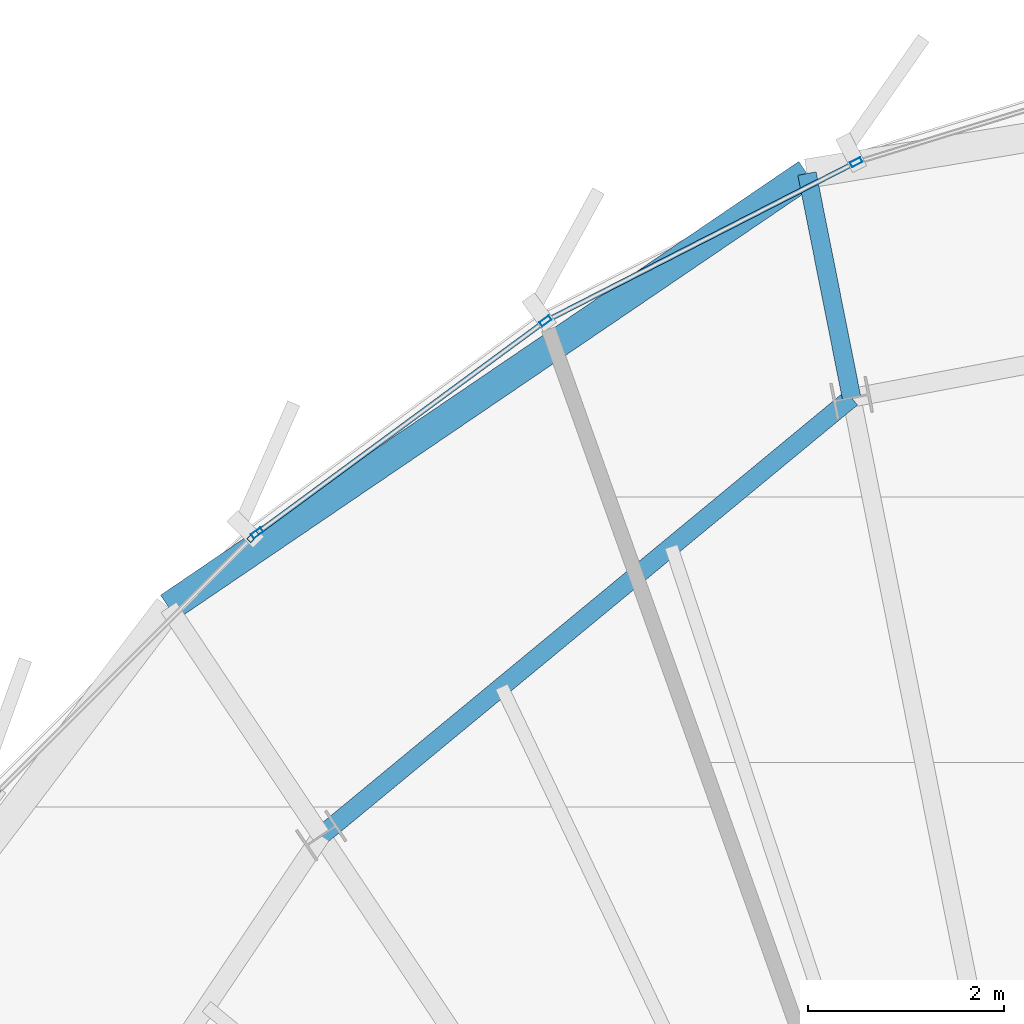
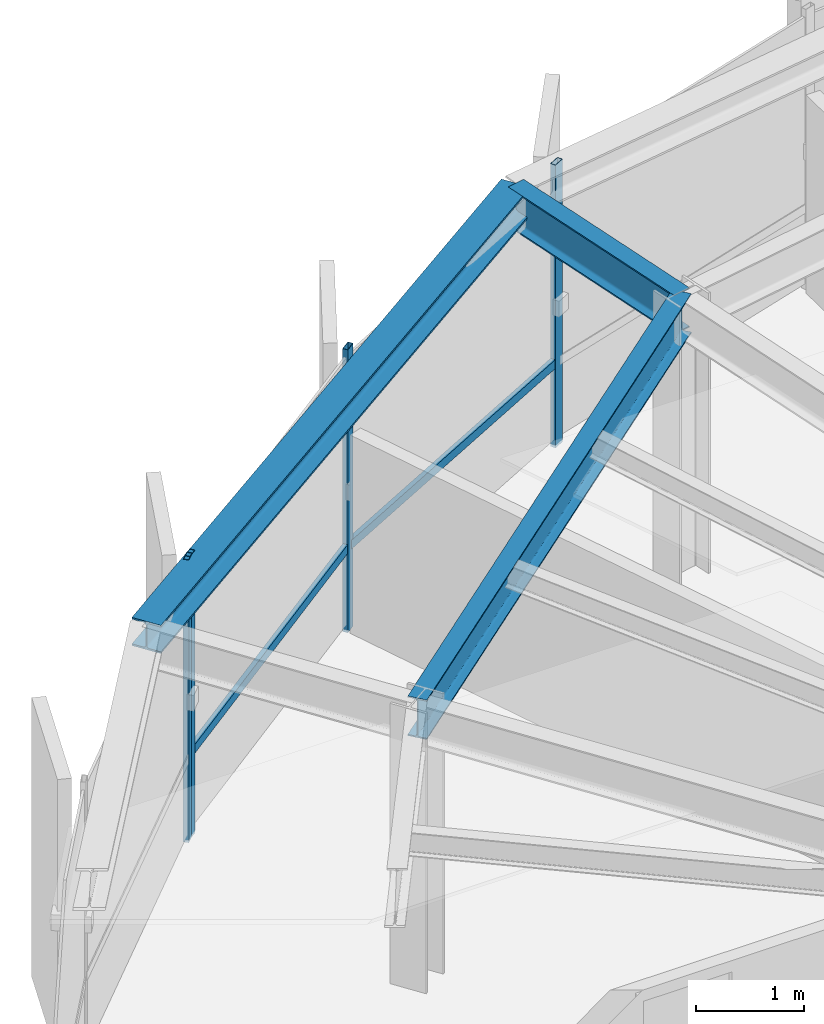
# One storey, part 18 of 30: 6 members, 3 beams, 2 elements without a shape of their own.
"""IFC4 building model written with IfcOpenShell, lengths in metres."""

from ifc_helpers import new_model, si_unit, direction, frame, origin, origin_2d, place, context, subcontext, project, spatial, hollow_rectangle, i_section, extrude, source, transform, mapped, material, layer, layer_set, material_profile, profile_set, type_object, element, aggregate, save


model = new_model("IFC4")

# Units and contexts
model_context = context("Model", 3, precision=1e-05, world=origin(), true_north=direction((0.0, 1.0)))
body_context = subcontext(model_context, "Body", "Model", "MODEL_VIEW")
ifc_project = project(units=[si_unit("LENGTHUNIT", "METRE"), si_unit("AREAUNIT", "SQUARE_METRE"), si_unit("VOLUMEUNIT", "CUBIC_METRE"), si_unit("PLANEANGLEUNIT", "RADIAN"), si_unit("MASSUNIT", "GRAM", prefix="KILO"), si_unit("THERMODYNAMICTEMPERATUREUNIT", "KELVIN")], contexts=[model_context])

# Site, building, storey
site_placement = place(None, origin())
site = spatial("IfcSite", under=ifc_project, at=site_placement, CompositionType="ELEMENT")
building_placement = place(site_placement, origin())
building = spatial("IfcBuilding", under=site, at=building_placement, Name="Kethvar Cultural Tower", CompositionType="ELEMENT")
storey_placement = place(building_placement, frame((0.0, 0.0, 297.39990234375)))
storey = spatial("IfcBuildingStorey", under=building, at=storey_placement, Name="L79", CompositionType="ELEMENT", Elevation=297.39990234375)

# Beams
ifc_material_1 = material(Name="Steel S355J2", Category="steel")
ifc_material_profile_1 = material_profile(ifc_material_1, i_section(OverallWidth=0.18994140625, OverallDepth=0.449951171875, WebThickness=0.009521484375, FlangeThickness=0.0146484375, FilletRadius=0.02099609375, at=origin_2d()), Name="Steel S355J2 — IPE450")
ifc_profile_set_1 = profile_set([ifc_material_profile_1], Name="Steel S355J2 — IPE450")
beam_type_1 = type_object("IfcBeamType", Name="BM-IPE450", PredefinedType="BEAM", material=ifc_profile_set_1)
shared_shape_1 = source(origin(), body_context, "Body", "SweptSolid", [
    extrude(i_section(OverallWidth=0.18994140625, OverallDepth=0.449951171875, WebThickness=0.009521484375, FlangeThickness=0.0146484375, FilletRadius=0.02099609375, at=origin_2d()), origin(), (0.0, 0.0, 1.0), 7.03271484375),
])
beam_1_placement = place(storey_placement, frame((43.23291015625, 45.732421875, 2.983154296875), z_axis=(-0.771161072103, -0.636640087391, 0.0), x_axis=(0.636640087391, -0.771161072103, 0.0)))
element("IfcBeam", 1, at=beam_1_placement, inside=storey, type_object=beam_type_1, Name="L79 Column Ring Tie Beam CR-05", PredefinedType="BEAM", context=body_context, shape_type="MappedRepresentation", body=[
    mapped(shared_shape_1, transform((0.0, 0.0, 0.0), scale=1.0)),
])
shared_shape_2 = source(origin(), body_context, "Body", "SweptSolid", [
    extrude(i_section(OverallWidth=0.18994140625, OverallDepth=0.449951171875, WebThickness=0.009521484375, FlangeThickness=0.0146484375, FilletRadius=0.02099609375, at=origin_2d()), origin(), (0.0, 0.0, 1.0), 2.338134765625),
])
beam_2_placement = place(storey_placement, frame((43.23291015625, 45.732421875, 2.983154296875), z_axis=(-0.195051765025, 0.980792949078, 0.0), x_axis=(-0.980792949078, -0.195051765025, 0.0)))
element("IfcBeam", 2, at=beam_2_placement, inside=storey, type_object=beam_type_1, Name="L79 Perimeter Cantilever Beam RC-05", PredefinedType="BEAM", context=body_context, shape_type="MappedRepresentation", body=[
    mapped(shared_shape_2, transform((0.0, 0.0, 0.0), scale=1.0)),
])
ifc_material_profile_2 = material_profile(ifc_material_1, i_section(OverallWidth=0.300048828125, OverallDepth=0.320068359375, WebThickness=0.011474609375, FlangeThickness=0.0205078125, FilletRadius=0.027099609375, at=origin_2d()), Name="Steel S355J2 — HEB320")
ifc_profile_set_2 = profile_set([ifc_material_profile_2], Name="Steel S355J2 — HEB320")
beam_type_2 = type_object("IfcBeamType", Name="BM-SP320", PredefinedType="SPANDREL", material=ifc_profile_set_2)
shared_shape_3 = source(origin(), body_context, "Body", "SweptSolid", [
    extrude(i_section(OverallWidth=0.300048828125, OverallDepth=0.320068359375, WebThickness=0.011474609375, FlangeThickness=0.0205078125, FilletRadius=0.027099609375, at=origin_2d()), origin(), (0.0, 0.0, 1.0), 7.891845703125),
])
beam_3_placement = place(storey_placement, frame((42.77685546875, 48.025634765625, 3.048095703125), z_axis=(-0.827091602426, -0.562067150078, 0.0), x_axis=(0.562067150078, -0.827091602426, 0.0)))
element("IfcBeam", 3, at=beam_3_placement, inside=storey, type_object=beam_type_2, Name="L79 Perimeter Spandrel Beam SP-05", PredefinedType="SPANDREL", context=body_context, shape_type="MappedRepresentation", body=[
    mapped(shared_shape_3, transform((0.0, 0.0, 0.0), scale=1.0)),
])

# Curtain wall, members
ifc_material_2 = material(Name="Aluminium 6063-T6", Category="aluminium")
ifc_layer = layer(ifc_material_2, 0.179931640625, Name="Aluminium 6063-T6", Category="aluminium")
ifc_layer_set = layer_set([ifc_layer], Name="Aluminium 6063-T6 (180 mm)")
curtain_wall_type = type_object("IfcCurtainWallType", Name="CW-SYS-05-Z56", PredefinedType="NOTDEFINED", material=ifc_layer_set)
curtain_wall_1_placement = place(storey_placement, origin())
curtain_wall_1 = element("IfcCurtainWall", 4, at=curtain_wall_1_placement, inside=storey, type_object=curtain_wall_type, Name="L79 Curtain Wall Run 01", PredefinedType="NOTDEFINED")
ifc_material_profile_3 = material_profile(ifc_material_2, hollow_rectangle(XDim=0.054931640625, YDim=0.1201171875, WallThickness=0.00390625, at=origin_2d()), Name="Aluminium 6063-T6 — RHS120x55x4")
ifc_profile_set_3 = profile_set([ifc_material_profile_3], Name="Aluminium 6063-T6 — RHS120x55x4")
member_type_1 = type_object("IfcMemberType", Name="CW-SYS-05-Z56-MUL", PredefinedType="MULLION", material=ifc_profile_set_3)
shared_shape_4 = source(origin(), body_context, "Body", "SweptSolid", [
    extrude(hollow_rectangle(XDim=0.054931640625, YDim=0.1201171875, WallThickness=0.00390625, at=origin_2d()), origin(), (0.0, 0.0, 1.0), 3.210205078125),
])
member_1_placement = place(storey_placement, frame((43.279296875, 48.14208984375, 0.0), z_axis=(0.0, 0.0, 1.0), x_axis=(0.455482757545, -0.890244605476, 0.0)))
member_1 = element("IfcMember", 5, at=member_1_placement, type_object=member_type_1, Name="CW-L79-R01 Mullion 5", PredefinedType="MULLION", context=body_context, shape_type="MappedRepresentation", body=[
    mapped(shared_shape_4, transform((0.0, 0.0, 0.0), scale=1.0)),
])
member_2_placement = place(storey_placement, frame((40.103271484375, 46.518798828125, 0.0), z_axis=(0.0, 0.0, 1.0), x_axis=(0.592308527171, -0.805711243958, 0.0)))
member_2 = element("IfcMember", 6, at=member_2_placement, type_object=member_type_1, Name="CW-L79-R01 Mullion 6", PredefinedType="MULLION", context=body_context, shape_type="MappedRepresentation", body=[
    mapped(shared_shape_4, transform((0.0, 0.0, 0.0), scale=1.0)),
])
member_3_placement = place(storey_placement, frame((37.154052734375, 44.3505859375, 0.0), z_axis=(0.0, 0.0, 1.0), x_axis=(0.592308527171, -0.805711243958, 0.0)))
member_3 = element("IfcMember", 7, at=member_3_placement, type_object=member_type_1, Name="CW-L79-R01 Mullion 7", PredefinedType="MULLION", context=body_context, shape_type="MappedRepresentation", body=[
    mapped(shared_shape_4, transform((0.0, 0.0, 0.0), scale=1.0)),
])

# Curtain wall, member
curtain_wall_2_placement = place(storey_placement, origin())
curtain_wall_2 = element("IfcCurtainWall", 8, at=curtain_wall_2_placement, inside=storey, type_object=curtain_wall_type, Name="L79 Curtain Wall Run 02", PredefinedType="NOTDEFINED")
member_4_placement = place(storey_placement, frame((37.111572265625, 44.31396484375, 0.0), z_axis=(0.0, 0.0, 1.0), x_axis=(0.707267200424, -0.706946325547, 0.0)))
member_4 = element("IfcMember", 9, at=member_4_placement, type_object=member_type_1, Name="CW-L79-R02 Mullion 1", PredefinedType="MULLION", context=body_context, shape_type="MappedRepresentation", body=[
    mapped(shared_shape_4, transform((0.0, 0.0, 0.0), scale=1.0)),
])
aggregate(curtain_wall_2, [member_4])

# Member
ifc_material_profile_4 = material_profile(ifc_material_2, hollow_rectangle(XDim=0.050048828125, YDim=0.10009765625, WallThickness=0.00390625, at=origin_2d()), Name="Aluminium 6063-T6 — RHS100x50x4")
ifc_profile_set_4 = profile_set([ifc_material_profile_4], Name="Aluminium 6063-T6 — RHS100x50x4")
member_type_2 = type_object("IfcMemberType", Name="CW-SYS-05-Z56-TRN", PredefinedType="USERDEFINED", material=ifc_profile_set_4)
shared_shape_5 = source(origin(), body_context, "Body", "SweptSolid", [
    extrude(hollow_rectangle(XDim=0.050048828125, YDim=0.10009765625, WallThickness=0.00390625, at=origin_2d()), origin(), (0.0, 0.0, 1.0), 3.50341796875),
])
member_5_placement = place(storey_placement, frame((43.243896484375, 48.1240234375, 0.9501953125), z_axis=(-0.890249477256, -0.455473235487, 0.0), x_axis=(0.455473235487, -0.890249477256, 0.0)))
member_5 = element("IfcMember", 10, at=member_5_placement, type_object=member_type_2, Name="CW-L79-R01 Transom 5", ObjectType="TRANSOM", PredefinedType="USERDEFINED", context=body_context, shape_type="MappedRepresentation", body=[
    mapped(shared_shape_5, transform((0.0, 0.0, 0.0), scale=1.0)),
])

shared_shape_6 = source(origin(), body_context, "Body", "SweptSolid", [
    extrude(hollow_rectangle(XDim=0.050048828125, YDim=0.10009765625, WallThickness=0.00390625, at=origin_2d()), origin(), (0.0, 0.0, 1.0), 3.6171875),
])
member_6_placement = place(storey_placement, frame((40.0712890625, 46.495361328125, 0.9501953125), z_axis=(-0.805689855696, -0.592337620305, 0.0), x_axis=(0.592337620305, -0.805689855696, 0.0)))
member_6 = element("IfcMember", 11, at=member_6_placement, type_object=member_type_2, Name="CW-L79-R01 Transom 6", ObjectType="TRANSOM", PredefinedType="USERDEFINED", context=body_context, shape_type="MappedRepresentation", body=[
    mapped(shared_shape_6, transform((0.0, 0.0, 0.0), scale=1.0)),
])

aggregate(curtain_wall_1, [member_1, member_2, member_3, member_5, member_6])

save(model, "model.ifc")
